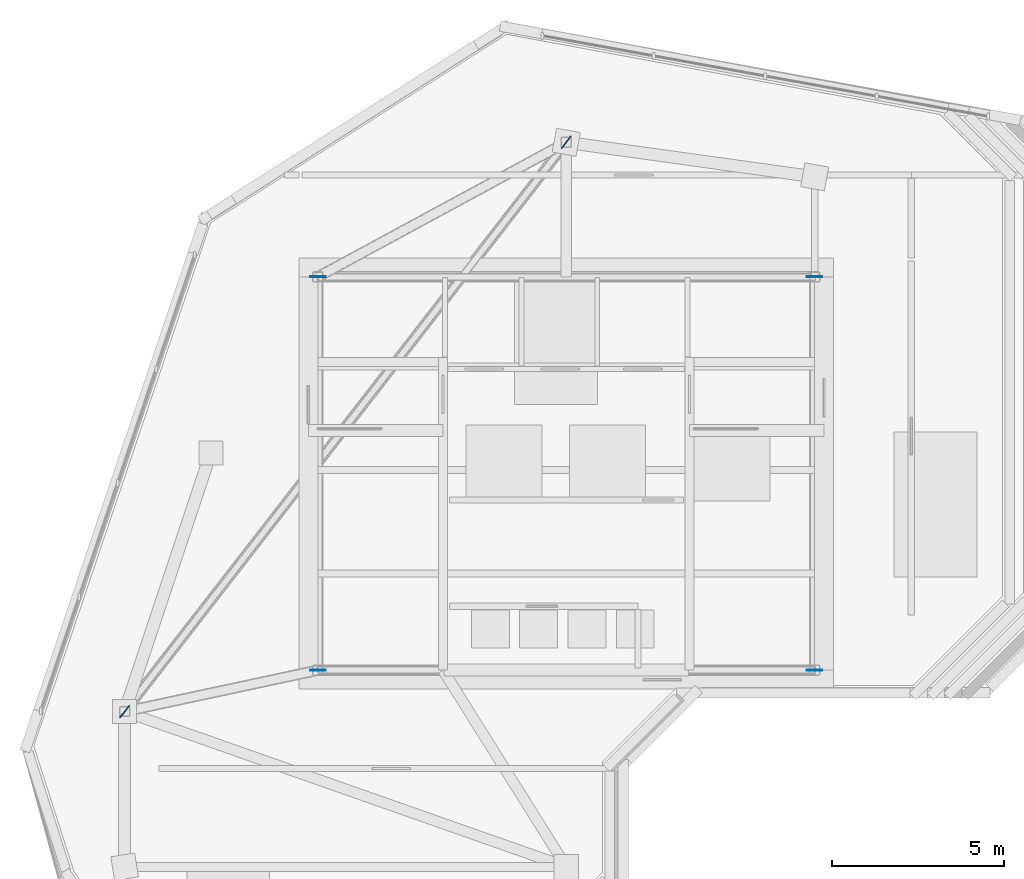
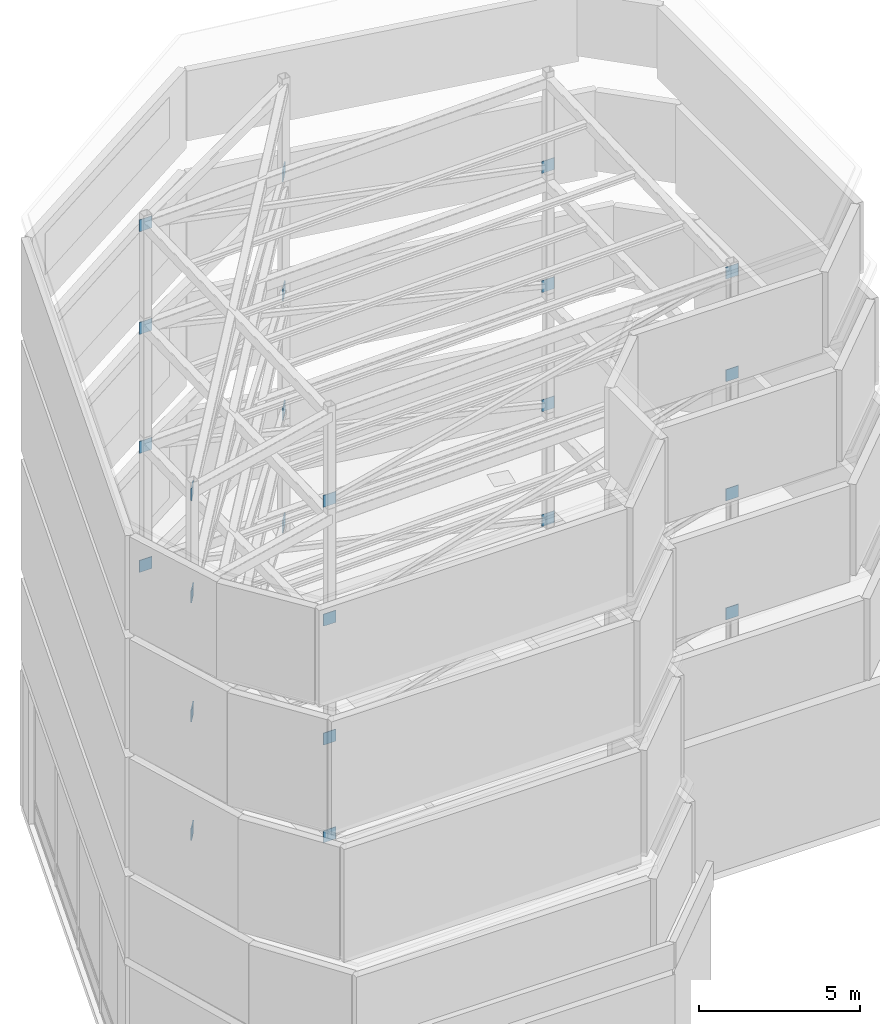
# One storey, part 5 of 9: 24 plates.
"""IFC4 building model written with IfcOpenShell, lengths in metres."""

from ifc_helpers import new_model, si_unit, direction, frame, origin, origin_2d, place, context, subcontext, project, spatial, rectangle, extrude, source, transform, mapped, material, layer, layer_set, type_object, element, save


model = new_model("IFC4")

# Units and contexts
model_context = context("Model", 3, precision=1e-05, world=origin(), true_north=direction((0.0, 1.0)))
body_context = subcontext(model_context, "Body", "Model", "MODEL_VIEW")
ifc_project = project(units=[si_unit("LENGTHUNIT", "METRE"), si_unit("AREAUNIT", "SQUARE_METRE"), si_unit("VOLUMEUNIT", "CUBIC_METRE"), si_unit("PLANEANGLEUNIT", "RADIAN"), si_unit("MASSUNIT", "GRAM", prefix="KILO")], contexts=[model_context])

# Site, building, storey
site_placement = place(None, origin())
site = spatial("IfcSite", under=ifc_project, at=site_placement, CompositionType="ELEMENT")
building_placement = place(site_placement, origin())
building = spatial("IfcBuilding", under=site, at=building_placement, Name="Calvemar Wedge Station Tower", CompositionType="ELEMENT")
storey_placement = place(building_placement, frame((0.0, 0.0, 309.5)))
storey = spatial("IfcBuildingStorey", under=building, at=storey_placement, Name="L79", CompositionType="ELEMENT", Elevation=309.5)

# Plates
ifc_material = material(Name="Structural steel ASTM A572 Grade 50", Category="steel")
ifc_layer = layer(ifc_material, 0.02490234375)
ifc_layer_set = layer_set([ifc_layer], Name="Structural steel ASTM A572 Grade 50")
plate_type = type_object("IfcPlateType", Name="PL-NP-25", PredefinedType="USERDEFINED", material=ifc_layer_set)
shared_shape = source(origin(), body_context, "Body", "SweptSolid", [
    extrude(rectangle(XDim=0.449951171875, YDim=0.02490234375, at=origin_2d()), origin(), (0.0, 0.0, 1.0), 0.449951171875),
])
for number, where, z_axis, x_axis, name in (
    (1, (16.60009765625, 34.199951171875, 5.4248046875), (0.0, 0.0, 1.0), (1.0, 0.0, 0.0), "Crown Tier 1 Brace Base Gusset 1"),
    (2, (31.0, 34.199951171875, 8.8095703125), (0.0, 0.0, 1.0), (1.0, 0.0, 0.0), "Crown Tier 1 Brace Top Gusset 1"),
    (3, (31.0, 45.60009765625, 5.4248046875), (0.0, 0.0, 1.0), (-1.0, 0.0, 0.0), "Crown Tier 1 Brace Base Gusset 3"),
    (4, (16.60009765625, 45.60009765625, 8.734375), (0.0, 0.0, 1.0), (-1.0, 0.0, 0.0), "Crown Tier 1 Brace Top Gusset 3"),
    (5, (23.800048828125, 49.5, 5.4248046875), (0.0, 0.0, 1.0), (-0.612907053653, -0.790155012376, 0.0), "Crown Tier 1 Brace Base Gusset 5"),
    (6, (11.0, 33.0, 8.2783203125), (0.0, 0.0, 1.0), (-0.612907053653, -0.790155012376, 0.0), "Crown Tier 1 Brace Top Gusset 5"),
    (7, (16.60009765625, 34.199951171875, 9.11865234375), (0.0, 0.0, 1.0), (1.0, 0.0, 0.0), "Crown Tier 2 Brace Base Gusset 1"),
    (8, (31.0, 34.199951171875, 13.31201171875), (0.0, 0.0, 1.0), (1.0, 0.0, 0.0), "Crown Tier 2 Brace Top Gusset 1"),
    (9, (31.0, 45.60009765625, 9.765625), (0.0, 0.0, 1.0), (-1.0, 0.0, 0.0), "Crown Tier 2 Brace Base Gusset 3"),
    (10, (16.60009765625, 45.60009765625, 13.2353515625), (0.0, 0.0, 1.0), (-1.0, 0.0, 0.0), "Crown Tier 2 Brace Top Gusset 3"),
    (11, (23.800048828125, 49.5, 9.6826171875), (0.0, 0.0, 1.0), (-0.612907053653, -0.790155012376, 0.0), "Crown Tier 2 Brace Base Gusset 5"),
    (12, (11.0, 33.0, 12.76953125), (0.0, 0.0, 1.0), (-0.612907053653, -0.790155012376, 0.0), "Crown Tier 2 Brace Top Gusset 5"),
    (13, (16.60009765625, 34.199951171875, 13.61328125), (0.0, 0.0, 1.0), (1.0, 0.0, 0.0), "Crown Tier 3 Brace Base Gusset 1"),
    (14, (31.0, 34.199951171875, 17.81396484375), (0.0, 0.0, 1.0), (1.0, 0.0, 0.0), "Crown Tier 3 Brace Top Gusset 1"),
    (15, (31.0, 45.60009765625, 14.2734375), (0.0, 0.0, 1.0), (-1.0, 0.0, 0.0), "Crown Tier 3 Brace Base Gusset 3"),
    (16, (16.60009765625, 45.60009765625, 17.73583984375), (0.0, 0.0, 1.0), (-1.0, 0.0, 0.0), "Crown Tier 3 Brace Top Gusset 3"),
    (17, (23.800048828125, 49.5, 14.18896484375), (0.0, 0.0, 1.0), (-0.612907053653, -0.790155012376, 0.0), "Crown Tier 3 Brace Base Gusset 5"),
    (18, (11.0, 33.0, 17.2607421875), (0.0, 0.0, 1.0), (-0.612907053653, -0.790155012376, 0.0), "Crown Tier 3 Brace Top Gusset 5"),
    (19, (16.60009765625, 34.199951171875, 18.1083984375), (0.0, 0.0, 1.0), (1.0, 0.0, 0.0), "Crown Tier 4 Brace Base Gusset 1"),
    (20, (31.0, 34.199951171875, 21.6962890625), (0.0, 0.0, 1.0), (1.0, 0.0, 0.0), "Crown Tier 4 Brace Top Gusset 1"),
    (21, (31.0, 45.60009765625, 18.78125), (0.0, 0.0, 1.0), (-1.0, 0.0, 0.0), "Crown Tier 4 Brace Base Gusset 3"),
    (22, (16.60009765625, 45.60009765625, 21.6162109375), (0.0, 0.0, 1.0), (-1.0, 0.0, 0.0), "Crown Tier 4 Brace Top Gusset 3"),
    (23, (23.800048828125, 49.5, 18.6953125), (0.0, 0.0, 1.0), (-0.612907053653, -0.790155012376, 0.0), "Crown Tier 4 Brace Base Gusset 5"),
    (24, (11.0, 33.0, 21.1318359375), (0.0, 0.0, 1.0), (-0.612907053653, -0.790155012376, 0.0), "Crown Tier 4 Brace Top Gusset 5"),
):
    element("IfcPlate", number, at=place(storey_placement, frame(where, z_axis=z_axis, x_axis=x_axis)), inside=storey, type_object=plate_type, Name=name, ObjectType="GUSSET PLATE", PredefinedType="USERDEFINED", context=body_context, shape_type="MappedRepresentation", body=[
        mapped(shared_shape, transform((0.0, 0.0, 0.0), scale=1.0)),
    ])

save(model, "model.ifc")
